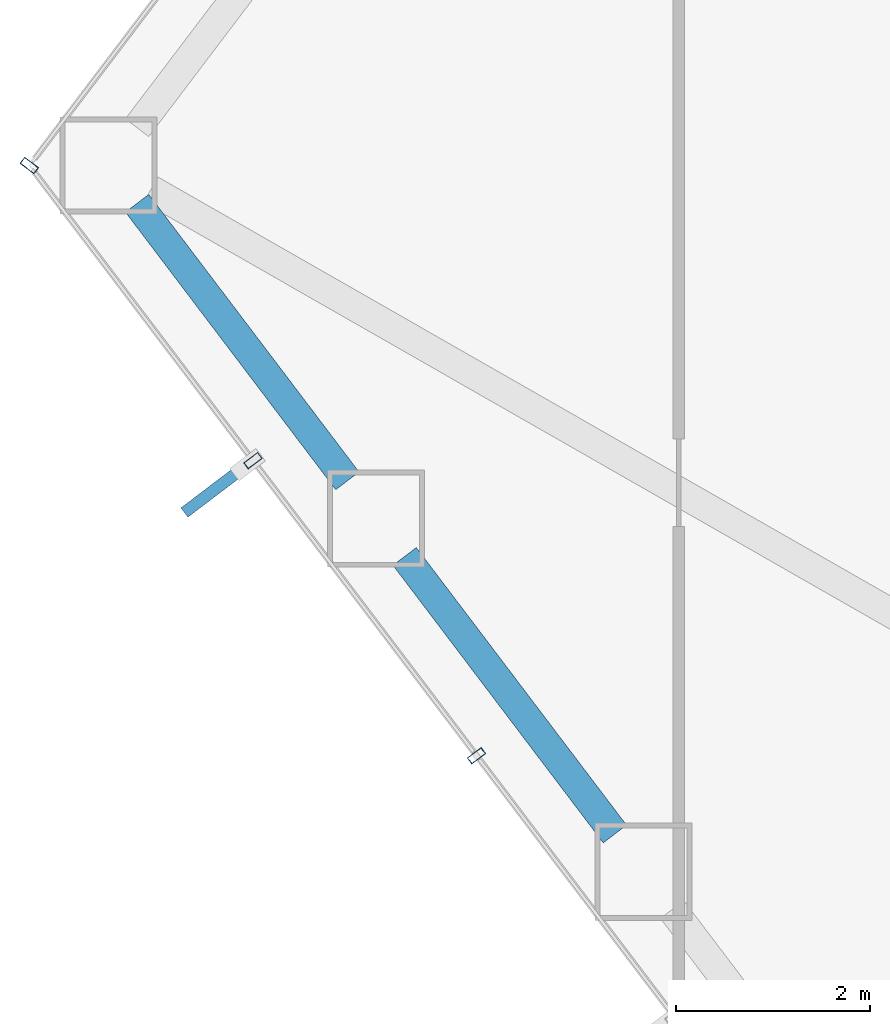
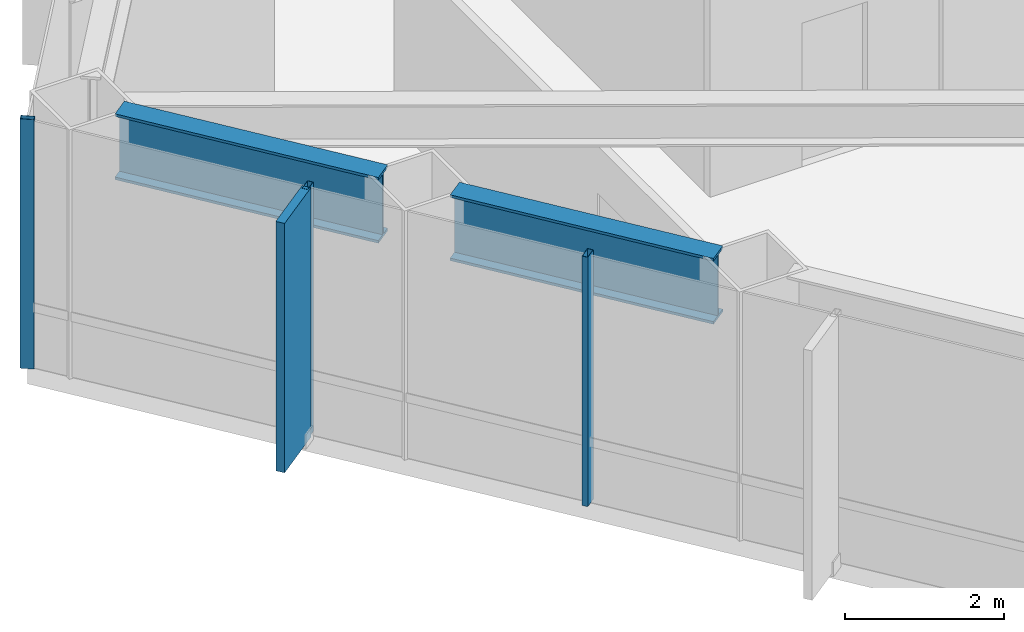
# One storey, part 4 of 25: 4 members, 2 beams, 2 elements without a shape of their own.
"""IFC4 building model written with IfcOpenShell, lengths in metres."""

from ifc_helpers import new_model, si_unit, direction, frame, origin, origin_2d, place, context, subcontext, project, spatial, rectangle, hollow_rectangle, i_section, extrude, material, layer, layer_set, material_profile, profile_set, type_object, element, aggregate, save


model = new_model("IFC4")

# Units and contexts
model_context = context("Model", 3, precision=1e-05, world=origin(), true_north=direction((0.0, 1.0)))
body_context = subcontext(model_context, "Body", "Model", "MODEL_VIEW")
ifc_project = project(units=[si_unit("LENGTHUNIT", "METRE"), si_unit("AREAUNIT", "SQUARE_METRE"), si_unit("VOLUMEUNIT", "CUBIC_METRE"), si_unit("PLANEANGLEUNIT", "RADIAN"), si_unit("MASSUNIT", "GRAM", prefix="KILO")], contexts=[model_context])

# Site, building, storey
site_placement = place(None, origin())
site = spatial("IfcSite", under=ifc_project, at=site_placement, CompositionType="ELEMENT")
building_placement = place(site_placement, origin())
building = spatial("IfcBuilding", under=site, at=building_placement, Name="Zarrinselat Tower", CompositionType="ELEMENT")
storey_placement = place(building_placement, frame((0.0, 0.0, 43.860107421875)))
storey = spatial("IfcBuildingStorey", under=building, at=storey_placement, Name="L10", CompositionType="ELEMENT", Elevation=43.860107421875)

# Beams
ifc_material_1 = material(Name="Steel S460M", Category="steel")
ifc_material_profile_1 = material_profile(ifc_material_1, i_section(OverallWidth=0.302001953125, OverallDepth=1.008056640625, WebThickness=0.02099609375, FlangeThickness=0.0400390625, at=origin_2d()), Name="HEM 1000")
ifc_profile_set_1 = profile_set([ifc_material_profile_1], Name="Steel S460M")
beam_type = type_object("IfcBeamType", Name="BM-HEM1000", PredefinedType="BEAM", material=ifc_profile_set_1)
for number, where, z_axis, x_axis, name in (
    (1, (16.921875, 33.83203125, 3.31591796875), (0.603858998435, -0.797091155395, 0.0), (0.797091155395, 0.603858998435, 0.0), "L10 Perimeter Spandrel Girder SP06"),
    (2, (19.67724609375, 30.195068359375, 3.31591796875), (0.603815751357, -0.797123916598, 0.0), (0.797123916598, 0.603815751357, 0.0), "L10 Perimeter Spandrel Girder SP07"),
):
    element("IfcBeam", number, at=place(storey_placement, frame(where, z_axis=z_axis, x_axis=x_axis)), inside=storey, type_object=beam_type, Name=name, PredefinedType="BEAM", context=body_context, shape_type="SweptSolid", body=[
        extrude(i_section(OverallWidth=0.302001953125, OverallDepth=1.008056640625, WebThickness=0.02099609375, FlangeThickness=0.0400390625, at=origin_2d()), origin(), (0.0, 0.0, 1.0), 3.5869140625),
    ])

# Curtain wall, member
ifc_material_2 = material(Name="Extruded Aluminium Alloy EN AW-6063 T6", Category="aluminium")
ifc_layer = layer(ifc_material_2, 0.18505859375)
ifc_layer_set = layer_set([ifc_layer], Name="Extruded Aluminium Alloy EN AW-6063 T6")
curtain_wall_type = type_object("IfcCurtainWallType", Name="CWS-OFF", PredefinedType="NOTDEFINED", material=ifc_layer_set)
curtain_wall_1_placement = place(storey_placement, origin())
curtain_wall_1 = element("IfcCurtainWall", 3, at=curtain_wall_1_placement, inside=storey, type_object=curtain_wall_type, Name="L10 Unitised Curtain Wall CW-L10-E02", PredefinedType="NOTDEFINED")
ifc_material_3 = material(Name="Extruded Aluminium Alloy EN AW-6063 T6", Category="aluminium")
ifc_material_profile_2 = material_profile(ifc_material_3, hollow_rectangle(XDim=0.080078125, YDim=0.179931640625, WallThickness=0.0048828125, at=origin_2d()), Name="RHS 180x80x5")
ifc_profile_set_2 = profile_set([ifc_material_profile_2], Name="Extruded Aluminium Alloy EN AW-6063 T6")
member_type_1 = type_object("IfcMemberType", Name="MEM-CW-MUL", PredefinedType="MULLION", material=ifc_profile_set_2)
member_1_placement = place(storey_placement, frame((15.811767578125, 34.220947265625, 0.0), z_axis=(0.0, 0.0, 1.0), x_axis=(-0.603856912101, -0.797092735952, 0.0)))
member_1 = element("IfcMember", 4, at=member_1_placement, type_object=member_type_1, Name="CW-L10-E02 Mullion 7", PredefinedType="MULLION", context=body_context, shape_type="SweptSolid", body=[
    extrude(hollow_rectangle(XDim=0.080078125, YDim=0.179931640625, WallThickness=0.0048828125, at=origin_2d()), origin(), (0.0, 0.0, 1.0), 3.81982421875),
])
aggregate(curtain_wall_1, [member_1])

# Curtain wall, members
curtain_wall_2_placement = place(storey_placement, origin())
curtain_wall_2 = element("IfcCurtainWall", 5, at=curtain_wall_2_placement, inside=storey, type_object=curtain_wall_type, Name="L10 Unitised Curtain Wall CW-L10-E03", PredefinedType="NOTDEFINED")
member_2_placement = place(storey_placement, frame((18.114501953125, 31.181396484375, 0.0), z_axis=(0.0, 0.0, 1.0), x_axis=(0.603857284091, -0.797092454142, 0.0)))
member_2 = element("IfcMember", 6, at=member_2_placement, type_object=member_type_1, Name="CW-L10-E03 Mullion 1", PredefinedType="MULLION", context=body_context, shape_type="SweptSolid", body=[
    extrude(hollow_rectangle(XDim=0.080078125, YDim=0.179931640625, WallThickness=0.0048828125, at=origin_2d()), origin(), (0.0, 0.0, 1.0), 3.81982421875),
])
member_3_placement = place(storey_placement, frame((20.417236328125, 28.141845703125, 0.0), z_axis=(0.0, 0.0, 1.0), x_axis=(0.603857284091, -0.797092454142, 0.0)))
member_3 = element("IfcMember", 7, at=member_3_placement, type_object=member_type_1, Name="CW-L10-E03 Mullion 2", PredefinedType="MULLION", context=body_context, shape_type="SweptSolid", body=[
    extrude(hollow_rectangle(XDim=0.080078125, YDim=0.179931640625, WallThickness=0.0048828125, at=origin_2d()), origin(), (0.0, 0.0, 1.0), 3.81982421875),
])
ifc_material_4 = material(Name="Honed Cream Travertine Stone", Category="masonry")
ifc_material_profile_3 = material_profile(ifc_material_4, rectangle(XDim=0.1201171875, YDim=0.85009765625, at=origin_2d()), Name="FIN 850x120")
ifc_profile_set_3 = profile_set([ifc_material_profile_3], Name="Honed Cream Travertine Stone")
member_type_2 = type_object("IfcMemberType", Name="MEM-STONE-FIN", PredefinedType="USERDEFINED", material=ifc_profile_set_3)
member_4_placement = place(storey_placement, frame((17.747802734375, 30.903564453125, 0.0), z_axis=(0.0, 0.0, 1.0), x_axis=(-0.603857284091, 0.797092454142, 0.0)))
member_4 = element("IfcMember", 8, at=member_4_placement, type_object=member_type_2, Name="L10 Stone Shading Fin CW-L10-E03-01", ObjectType="FIN", PredefinedType="USERDEFINED", context=body_context, shape_type="SweptSolid", body=[
    extrude(rectangle(XDim=0.1201171875, YDim=0.85009765625, at=origin_2d()), origin(), (0.0, 0.0, 1.0), 3.81982421875),
])
aggregate(curtain_wall_2, [member_2, member_4, member_3])

save(model, "model.ifc")
